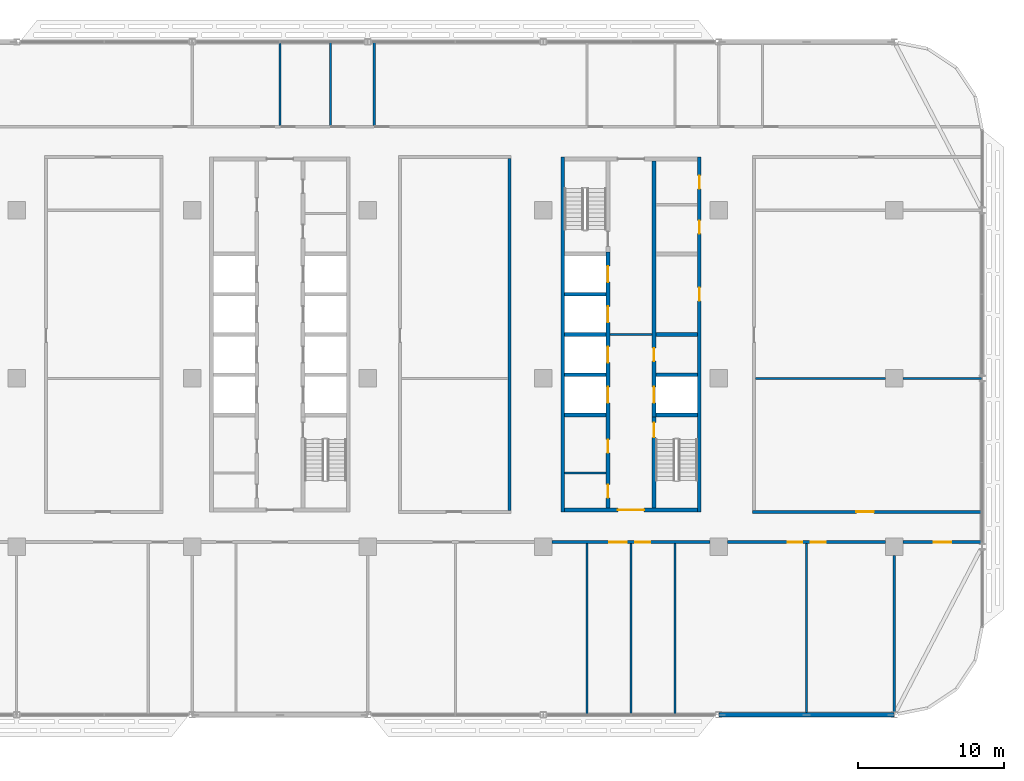
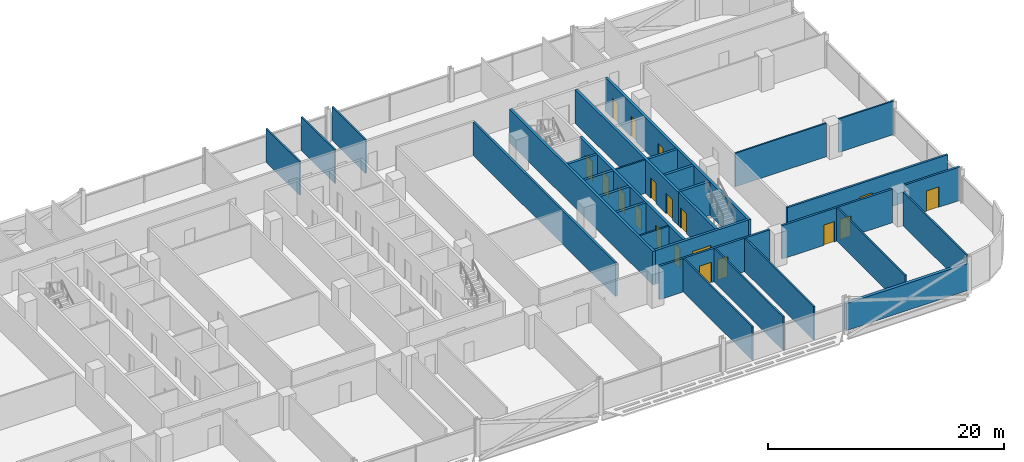
# One storey, part 15 of 27: 31 walls, 19 doors, 19 openings.
"""IFC4 building model written with IfcOpenShell, lengths in metres."""

from ifc_helpers import new_model, si_unit, direction, frame, frame_2d, origin, place, context, subcontext, project, spatial, rectangle, extrude, material, layer, layer_set, type_object, element, fill, save


model = new_model("IFC4")

# Units and contexts
model_context = context("Model", 3, precision=1e-05, world=origin(), true_north=direction((0.0, 1.0)))
body_context = subcontext(model_context, "Body", "Model", "MODEL_VIEW")
ifc_project = project(units=[si_unit("LENGTHUNIT", "METRE"), si_unit("AREAUNIT", "SQUARE_METRE"), si_unit("VOLUMEUNIT", "CUBIC_METRE"), si_unit("PLANEANGLEUNIT", "RADIAN"), si_unit("MASSUNIT", "GRAM", prefix="KILO")], contexts=[model_context])

# Site, building, storey
site_placement = place(None, origin())
site = spatial("IfcSite", under=ifc_project, at=site_placement, CompositionType="ELEMENT")
building_placement = place(site_placement, origin())
building = spatial("IfcBuilding", under=site, at=building_placement, Name="Mahtab Terrace Research Tower", CompositionType="ELEMENT")
storey_placement = place(building_placement, frame((0.0, 0.0, 178.199951171875)))
storey = spatial("IfcBuildingStorey", under=building, at=storey_placement, Name="L42", CompositionType="ELEMENT", Elevation=178.199951171875)

# Walls
ifc_material_1 = material(Name="Gypsum board partition")
ifc_layer_1 = layer(ifc_material_1, 0.14990234375)
ifc_layer_set_1 = layer_set([ifc_layer_1], Name="Core partition 150")
wall_type_1 = type_object("IfcWallType", Name="Core partition 150", PredefinedType="PARTITIONING", material=ifc_layer_set_1)
wall_1_placement = place(storey_placement, frame((22.550048828125, 3.0, 0.0), z_axis=(0.0, 0.0, 1.0), x_axis=(1.0, 0.0, 0.0)))
element("IfcWall", 1, at=wall_1_placement, inside=storey, type_object=wall_type_1, Name="Core wall C ffl", PredefinedType="PARTITIONING", context=body_context, shape_type="SweptSolid", body=[
    extrude(rectangle(XDim=2.89990234375, YDim=0.14990234375, at=frame_2d((1.449951171875, 0.0))), origin(), (0.0, 0.0, 1.0), 3.4599609375),
])
wall_2_placement = place(storey_placement, frame((19.449951171875, -6.47509765625, 0.0), z_axis=(0.0, 0.0, 1.0), x_axis=(1.0, 0.0, 0.0)))
element("IfcWall", 2, at=wall_2_placement, inside=storey, type_object=wall_type_1, Name="Core wall C pWS-948", PredefinedType="PARTITIONING", context=body_context, shape_type="SweptSolid", body=[
    extrude(rectangle(XDim=2.85009765625, YDim=0.14990234375, at=frame_2d((1.425048828125, 0.0))), origin(), (0.0, 0.0, 1.0), 3.4599609375),
])
ifc_material_2 = material(Name="Concrete C70/85", Category="concrete")
ifc_layer_2 = layer(ifc_material_2, 0.25)
ifc_layer_set_2 = layer_set([ifc_layer_2], Name="Core wall 250")
wall_type_2 = type_object("IfcWallType", Name="Core wall 250", PredefinedType="SOLIDWALL", material=ifc_layer_set_2)
wall_3_placement = place(storey_placement, frame((19.324951171875, 15.125, 0.0), z_axis=(0.0, 0.0, 1.0), x_axis=(0.0, -1.0, 0.0)))
element("IfcWall", 3, at=wall_3_placement, inside=storey, type_object=wall_type_2, Name="Core wall C outerW", PredefinedType="SOLIDWALL", context=body_context, shape_type="SweptSolid", body=[
    extrude(rectangle(XDim=24.25, YDim=0.25, at=frame_2d((12.125, 0.0))), origin(), (0.0, 0.0, 1.0), 3.4599609375),
])

# Wall, openings, doors
wall_4_placement = place(storey_placement, frame((28.675048828125, -9.125, 0.0), z_axis=(0.0, 0.0, 1.0), x_axis=(0.0, 1.0, 0.0)))
wall_4 = element("IfcWall", 4, at=wall_4_placement, inside=storey, type_object=wall_type_2, Name="Core wall C outerE", PredefinedType="SOLIDWALL", context=body_context, shape_type="SweptSolid", body=[
    extrude(rectangle(XDim=24.25, YDim=0.25, at=frame_2d((12.125, 0.0))), origin(), (0.0, 0.0, 1.0), 3.4599609375),
])
opening_1_placement = place(wall_4_placement, frame((14.425048828125, 0.0, 0.0)))
opening_1 = element("IfcOpeningElement", 5, at=opening_1_placement, cuts=wall_4, Name="Opening C-R2", PredefinedType="OPENING", context=body_context, shape_type="SweptSolid", body=[
    extrude(rectangle(XDim=0.89990234375, YDim=2.10009765625, at=frame_2d((0.449951171875, 1.050048828125))), frame((0.0, 0.135009765625, 0.0), z_axis=(0.0, -1.0, 0.0), x_axis=(1.0, 0.0, 0.0)), (0.0, 0.0, 1.0), 0.27001953125),
])
opening_2_placement = place(wall_4_placement, frame((19.012451171875, 0.0, 0.0)))
opening_2 = element("IfcOpeningElement", 6, at=opening_2_placement, cuts=wall_4, Name="Opening C-R5", PredefinedType="OPENING", context=body_context, shape_type="SweptSolid", body=[
    extrude(rectangle(XDim=0.89990234375, YDim=2.10009765625, at=frame_2d((0.449951171875, 1.050048828125))), frame((0.0, 0.135009765625, 0.0), z_axis=(0.0, -1.0, 0.0), x_axis=(1.0, 0.0, 0.0)), (0.0, 0.0, 1.0), 0.27001953125),
])
opening_3_placement = place(wall_4_placement, frame((22.08740234375, 0.0, 0.0)))
opening_3 = element("IfcOpeningElement", 7, at=opening_3_placement, cuts=wall_4, Name="Opening C-R6", PredefinedType="OPENING", context=body_context, shape_type="SweptSolid", body=[
    extrude(rectangle(XDim=0.89990234375, YDim=2.10009765625, at=frame_2d((0.449951171875, 1.050048828125))), frame((0.0, 0.135009765625, 0.0), z_axis=(0.0, -1.0, 0.0), x_axis=(1.0, 0.0, 0.0)), (0.0, 0.0, 1.0), 0.27001953125),
])
ifc_material_3 = material(Name="Steel fire door", Category="steel")
door_type_1 = type_object("IfcDoorType", Name="Room door 900x2100 1 HR", OperationType="NOTDEFINED", PredefinedType="DOOR", material=ifc_material_3)
door_1_placement = place(opening_1_placement, origin())
door_1 = element("IfcDoor", 8, at=door_1_placement, inside=storey, type_object=door_type_1, Name="Plant room door", OperationType="SINGLE_SWING_RIGHT", OverallHeight=2.10009765625, OverallWidth=0.89990234375, PredefinedType="DOOR", context=body_context, shape_type="SweptSolid", body=[
    extrude(rectangle(XDim=0.89990234375, YDim=2.10009765625, at=frame_2d((0.449951171875, 1.050048828125))), frame((0.0, 0.02490234375, 0.0), z_axis=(0.0, -1.0, 0.0), x_axis=(1.0, 0.0, 0.0)), (0.0, 0.0, 1.0), 0.050048828125),
])
fill(opening_1, door_1)
door_2_placement = place(opening_2_placement, origin())
door_2 = element("IfcDoor", 9, at=door_2_placement, inside=storey, type_object=door_type_1, Name="Housekeeping store door", OperationType="SINGLE_SWING_LEFT", OverallHeight=2.10009765625, OverallWidth=0.89990234375, PredefinedType="DOOR", context=body_context, shape_type="SweptSolid", body=[
    extrude(rectangle(XDim=0.89990234375, YDim=2.10009765625, at=frame_2d((0.449951171875, 1.050048828125))), frame((0.0, 0.02490234375, 0.0), z_axis=(0.0, -1.0, 0.0), x_axis=(1.0, 0.0, 0.0)), (0.0, 0.0, 1.0), 0.050048828125),
])
fill(opening_2, door_2)
door_3_placement = place(opening_3_placement, origin())
door_3 = element("IfcDoor", 10, at=door_3_placement, inside=storey, type_object=door_type_1, Name="Electrical riser room door", OperationType="SINGLE_SWING_RIGHT", OverallHeight=2.10009765625, OverallWidth=0.89990234375, PredefinedType="DOOR", context=body_context, shape_type="SweptSolid", body=[
    extrude(rectangle(XDim=0.89990234375, YDim=2.10009765625, at=frame_2d((0.449951171875, 1.050048828125))), frame((0.0, 0.02490234375, 0.0), z_axis=(0.0, -1.0, 0.0), x_axis=(1.0, 0.0, 0.0)), (0.0, 0.0, 1.0), 0.050048828125),
])
fill(opening_3, door_3)

# Wall, opening, door
wall_5_placement = place(storey_placement, frame((28.550048828125, -9.0, 0.0), z_axis=(0.0, 0.0, 1.0), x_axis=(-1.0, 0.0, 0.0)))
wall_5 = element("IfcWall", 11, at=wall_5_placement, inside=storey, type_object=wall_type_2, Name="Core wall C endS", PredefinedType="SOLIDWALL", context=body_context, shape_type="SweptSolid", body=[
    extrude(rectangle(XDim=9.10009765625, YDim=0.25, at=frame_2d((4.550048828125, 0.0))), origin(), (0.0, 0.0, 1.0), 3.4599609375),
])
opening_4_placement = place(wall_5_placement, frame((3.64990234375, 0.0, 0.0)))
opening_4 = element("IfcOpeningElement", 12, at=opening_4_placement, cuts=wall_5, Name="Opening C-S1", PredefinedType="OPENING", context=body_context, shape_type="SweptSolid", body=[
    extrude(rectangle(XDim=1.800048828125, YDim=2.10009765625, at=frame_2d((0.89990234375, 1.050048828125))), frame((0.0, 0.135009765625, 0.0), z_axis=(0.0, -1.0, 0.0), x_axis=(1.0, 0.0, 0.0)), (0.0, 0.0, 1.0), 0.27001953125),
])
door_type_2 = type_object("IfcDoorType", Name="Lobby double door 1800x2100 1 HR", OperationType="DOUBLE_DOOR_SINGLE_SWING", PredefinedType="DOOR", material=ifc_material_3)
door_4_placement = place(opening_4_placement, origin())
door_4 = element("IfcDoor", 13, at=door_4_placement, inside=storey, type_object=door_type_2, Name="Core entrance door C S", OperationType="DOUBLE_DOOR_SINGLE_SWING", OverallHeight=2.10009765625, OverallWidth=1.800048828125, PredefinedType="DOOR", context=body_context, shape_type="SweptSolid", body=[
    extrude(rectangle(XDim=1.800048828125, YDim=2.10009765625, at=frame_2d((0.89990234375, 1.050048828125))), frame((0.0, 0.02490234375, 0.0), z_axis=(0.0, -1.0, 0.0), x_axis=(1.0, 0.0, 0.0)), (0.0, 0.0, 1.0), 0.050048828125),
])
fill(opening_4, door_4)

# Wall, openings, doors
wall_6_placement = place(storey_placement, frame((22.425048828125, -8.875, 0.0), z_axis=(0.0, 0.0, 1.0), x_axis=(0.0, 1.0, 0.0)))
wall_6 = element("IfcWall", 14, at=wall_6_placement, inside=storey, type_object=wall_type_2, Name="Core wall C innerWSL", PredefinedType="SOLIDWALL", context=body_context, shape_type="SweptSolid", body=[
    extrude(rectangle(XDim=17.5, YDim=0.25, at=frame_2d((8.75, 0.0))), origin(), (0.0, 0.0, 1.0), 3.4599609375),
])
opening_5_placement = place(wall_6_placement, frame((7.199951171875, 0.0, 0.0)))
opening_5 = element("IfcOpeningElement", 15, at=opening_5_placement, cuts=wall_6, Name="Opening LD17-L42", PredefinedType="OPENING", context=body_context, shape_type="SweptSolid", body=[
    extrude(rectangle(XDim=1.10009765625, YDim=2.10009765625, at=frame_2d((0.550048828125, 1.050048828125))), frame((0.0, 0.135009765625, 0.0), z_axis=(0.0, -1.0, 0.0), x_axis=(1.0, 0.0, 0.0)), (0.0, 0.0, 1.0), 0.27001953125),
])
opening_6_placement = place(wall_6_placement, frame((9.949951171875, 0.0, 0.0)))
opening_6 = element("IfcOpeningElement", 16, at=opening_6_placement, cuts=wall_6, Name="Opening LD18-L42", PredefinedType="OPENING", context=body_context, shape_type="SweptSolid", body=[
    extrude(rectangle(XDim=1.10009765625, YDim=2.10009765625, at=frame_2d((0.550048828125, 1.050048828125))), frame((0.0, 0.135009765625, 0.0), z_axis=(0.0, -1.0, 0.0), x_axis=(1.0, 0.0, 0.0)), (0.0, 0.0, 1.0), 0.27001953125),
])
opening_7_placement = place(wall_6_placement, frame((12.699951171875, 0.0, 0.0)))
opening_7 = element("IfcOpeningElement", 17, at=opening_7_placement, cuts=wall_6, Name="Opening LD19-L42", PredefinedType="OPENING", context=body_context, shape_type="SweptSolid", body=[
    extrude(rectangle(XDim=1.10009765625, YDim=2.10009765625, at=frame_2d((0.550048828125, 1.050048828125))), frame((0.0, 0.135009765625, 0.0), z_axis=(0.0, -1.0, 0.0), x_axis=(1.0, 0.0, 0.0)), (0.0, 0.0, 1.0), 0.27001953125),
])
opening_8_placement = place(wall_6_placement, frame((15.449951171875, 0.0, 0.0)))
opening_8 = element("IfcOpeningElement", 18, at=opening_8_placement, cuts=wall_6, Name="Opening LD20-L42", PredefinedType="OPENING", context=body_context, shape_type="SweptSolid", body=[
    extrude(rectangle(XDim=1.10009765625, YDim=2.10009765625, at=frame_2d((0.550048828125, 1.050048828125))), frame((0.0, 0.135009765625, 0.0), z_axis=(0.0, -1.0, 0.0), x_axis=(1.0, 0.0, 0.0)), (0.0, 0.0, 1.0), 0.27001953125),
])
opening_9_placement = place(wall_6_placement, frame((0.71240234375, 0.0, 0.0)))
opening_9 = element("IfcOpeningElement", 19, at=opening_9_placement, cuts=wall_6, Name="Opening C-R3", PredefinedType="OPENING", context=body_context, shape_type="SweptSolid", body=[
    extrude(rectangle(XDim=0.89990234375, YDim=2.10009765625, at=frame_2d((0.449951171875, 1.050048828125))), frame((0.0, 0.135009765625, 0.0), z_axis=(0.0, -1.0, 0.0), x_axis=(1.0, 0.0, 0.0)), (0.0, 0.0, 1.0), 0.27001953125),
])
opening_10_placement = place(wall_6_placement, frame((3.78759765625, 0.0, 0.0)))
opening_10 = element("IfcOpeningElement", 20, at=opening_10_placement, cuts=wall_6, Name="Opening C-R4", PredefinedType="OPENING", context=body_context, shape_type="SweptSolid", body=[
    extrude(rectangle(XDim=0.89990234375, YDim=2.10009765625, at=frame_2d((0.449951171875, 1.050048828125))), frame((0.0, 0.135009765625, 0.0), z_axis=(0.0, -1.0, 0.0), x_axis=(1.0, 0.0, 0.0)), (0.0, 0.0, 1.0), 0.27001953125),
])
ifc_material_4 = material(Name="Stainless steel AISI 304", Category="steel")
door_type_3 = type_object("IfcDoorType", Name="Landing door 1100x2100", OperationType="DOUBLE_DOOR_SLIDING", PredefinedType="DOOR", material=ifc_material_4)
door_5_placement = place(opening_5_placement, origin())
door_5 = element("IfcDoor", 21, at=door_5_placement, inside=storey, type_object=door_type_3, Name="Landing door SV1 L42", OperationType="DOUBLE_DOOR_SLIDING", OverallHeight=2.10009765625, OverallWidth=1.10009765625, PredefinedType="DOOR", context=body_context, shape_type="SweptSolid", body=[
    extrude(rectangle(XDim=1.10009765625, YDim=2.10009765625, at=frame_2d((0.550048828125, 1.050048828125))), frame((0.0, 0.02490234375, 0.0), z_axis=(0.0, -1.0, 0.0), x_axis=(1.0, 0.0, 0.0)), (0.0, 0.0, 1.0), 0.050048828125),
])
fill(opening_5, door_5)
door_6_placement = place(opening_6_placement, origin())
door_6 = element("IfcDoor", 22, at=door_6_placement, inside=storey, type_object=door_type_3, Name="Landing door SV2 L42", OperationType="DOUBLE_DOOR_SLIDING", OverallHeight=2.10009765625, OverallWidth=1.10009765625, PredefinedType="DOOR", context=body_context, shape_type="SweptSolid", body=[
    extrude(rectangle(XDim=1.10009765625, YDim=2.10009765625, at=frame_2d((0.550048828125, 1.050048828125))), frame((0.0, 0.02490234375, 0.0), z_axis=(0.0, -1.0, 0.0), x_axis=(1.0, 0.0, 0.0)), (0.0, 0.0, 1.0), 0.050048828125),
])
fill(opening_6, door_6)
door_7_placement = place(opening_7_placement, origin())
door_7 = element("IfcDoor", 23, at=door_7_placement, inside=storey, type_object=door_type_3, Name="Landing door FF1 L42", OperationType="DOUBLE_DOOR_SLIDING", OverallHeight=2.10009765625, OverallWidth=1.10009765625, PredefinedType="DOOR", context=body_context, shape_type="SweptSolid", body=[
    extrude(rectangle(XDim=1.10009765625, YDim=2.10009765625, at=frame_2d((0.550048828125, 1.050048828125))), frame((0.0, 0.02490234375, 0.0), z_axis=(0.0, -1.0, 0.0), x_axis=(1.0, 0.0, 0.0)), (0.0, 0.0, 1.0), 0.050048828125),
])
fill(opening_7, door_7)
door_8_placement = place(opening_8_placement, origin())
door_8 = element("IfcDoor", 24, at=door_8_placement, inside=storey, type_object=door_type_3, Name="Landing door FF2 L42", OperationType="DOUBLE_DOOR_SLIDING", OverallHeight=2.10009765625, OverallWidth=1.10009765625, PredefinedType="DOOR", context=body_context, shape_type="SweptSolid", body=[
    extrude(rectangle(XDim=1.10009765625, YDim=2.10009765625, at=frame_2d((0.550048828125, 1.050048828125))), frame((0.0, 0.02490234375, 0.0), z_axis=(0.0, -1.0, 0.0), x_axis=(1.0, 0.0, 0.0)), (0.0, 0.0, 1.0), 0.050048828125),
])
fill(opening_8, door_8)
door_9_placement = place(opening_9_placement, origin())
door_9 = element("IfcDoor", 25, at=door_9_placement, inside=storey, type_object=door_type_1, Name="Accessible WC door", OperationType="SINGLE_SWING_LEFT", OverallHeight=2.10009765625, OverallWidth=0.89990234375, PredefinedType="DOOR", context=body_context, shape_type="SweptSolid", body=[
    extrude(rectangle(XDim=0.89990234375, YDim=2.10009765625, at=frame_2d((0.449951171875, 1.050048828125))), frame((0.0, 0.02490234375, 0.0), z_axis=(0.0, -1.0, 0.0), x_axis=(1.0, 0.0, 0.0)), (0.0, 0.0, 1.0), 0.050048828125),
])
fill(opening_9, door_9)
door_10_placement = place(opening_10_placement, origin())
door_10 = element("IfcDoor", 26, at=door_10_placement, inside=storey, type_object=door_type_1, Name="WC block door", OperationType="SINGLE_SWING_RIGHT", OverallHeight=2.10009765625, OverallWidth=0.89990234375, PredefinedType="DOOR", context=body_context, shape_type="SweptSolid", body=[
    extrude(rectangle(XDim=0.89990234375, YDim=2.10009765625, at=frame_2d((0.449951171875, 1.050048828125))), frame((0.0, 0.02490234375, 0.0), z_axis=(0.0, -1.0, 0.0), x_axis=(1.0, 0.0, 0.0)), (0.0, 0.0, 1.0), 0.050048828125),
])
fill(opening_10, door_10)

# Wall, opening, door
wall_7_placement = place(storey_placement, frame((25.574951171875, -8.875, 0.0), z_axis=(0.0, 0.0, 1.0), x_axis=(0.0, 1.0, 0.0)))
wall_7 = element("IfcWall", 27, at=wall_7_placement, inside=storey, type_object=wall_type_2, Name="Core wall C innerES", PredefinedType="SOLIDWALL", context=body_context, shape_type="SweptSolid", body=[
    extrude(rectangle(XDim=6.25, YDim=0.25, at=frame_2d((3.125, 0.0))), origin(), (0.0, 0.0, 1.0), 3.4599609375),
])
opening_11_placement = place(wall_7_placement, frame((4.85009765625, 0.0, 0.0)))
opening_11 = element("IfcOpeningElement", 28, at=opening_11_placement, cuts=wall_7, Name="Opening C-ST4", PredefinedType="OPENING", context=body_context, shape_type="SweptSolid", body=[
    extrude(rectangle(XDim=1.0, YDim=2.10009765625, at=frame_2d((0.5, 1.050048828125))), frame((0.0, 0.135009765625, 0.0), z_axis=(0.0, -1.0, 0.0), x_axis=(1.0, 0.0, 0.0)), (0.0, 0.0, 1.0), 0.27001953125),
])
door_type_4 = type_object("IfcDoorType", Name="Stair door 1000x2100 1.5 HR", OperationType="NOTDEFINED", PredefinedType="DOOR", material=ifc_material_3)
door_11_placement = place(opening_11_placement, origin())
door_11 = element("IfcDoor", 29, at=door_11_placement, inside=storey, type_object=door_type_4, Name="Stair door ST4 L42", OperationType="SINGLE_SWING_RIGHT", OverallHeight=2.10009765625, OverallWidth=1.0, PredefinedType="DOOR", context=body_context, shape_type="SweptSolid", body=[
    extrude(rectangle(XDim=1.0, YDim=2.10009765625, at=frame_2d((0.5, 1.050048828125))), frame((0.0, 0.02490234375, 0.0), z_axis=(0.0, -1.0, 0.0), x_axis=(1.0, 0.0, 0.0)), (0.0, 0.0, 1.0), 0.050048828125),
])
fill(opening_11, door_11)

# Wall, openings, doors
wall_8_placement = place(storey_placement, frame((25.574951171875, 14.875, 0.0), z_axis=(0.0, 0.0, 1.0), x_axis=(0.0, -1.0, 0.0)))
wall_8 = element("IfcWall", 30, at=wall_8_placement, inside=storey, type_object=wall_type_2, Name="Core wall C innerELN", PredefinedType="SOLIDWALL", context=body_context, shape_type="SweptSolid", body=[
    extrude(rectangle(XDim=17.5, YDim=0.25, at=frame_2d((8.75, 0.0))), origin(), (0.0, 0.0, 1.0), 3.4599609375),
])
opening_12_placement = place(wall_8_placement, frame((15.449951171875, 0.0, 0.0)))
opening_12 = element("IfcOpeningElement", 31, at=opening_12_placement, cuts=wall_8, Name="Opening LD21-L42", PredefinedType="OPENING", context=body_context, shape_type="SweptSolid", body=[
    extrude(rectangle(XDim=1.10009765625, YDim=2.10009765625, at=frame_2d((0.550048828125, 1.050048828125))), frame((0.0, 0.135009765625, 0.0), z_axis=(0.0, -1.0, 0.0), x_axis=(1.0, 0.0, 0.0)), (0.0, 0.0, 1.0), 0.27001953125),
])
opening_13_placement = place(wall_8_placement, frame((12.800048828125, 0.0, 0.0)))
opening_13 = element("IfcOpeningElement", 32, at=opening_13_placement, cuts=wall_8, Name="Opening C-R1", PredefinedType="OPENING", context=body_context, shape_type="SweptSolid", body=[
    extrude(rectangle(XDim=0.89990234375, YDim=2.10009765625, at=frame_2d((0.449951171875, 1.050048828125))), frame((0.0, 0.135009765625, 0.0), z_axis=(0.0, -1.0, 0.0), x_axis=(1.0, 0.0, 0.0)), (0.0, 0.0, 1.0), 0.27001953125),
])
door_12_placement = place(opening_12_placement, origin())
door_12 = element("IfcDoor", 33, at=door_12_placement, inside=storey, type_object=door_type_3, Name="Landing door SV3 L42", OperationType="DOUBLE_DOOR_SLIDING", OverallHeight=2.10009765625, OverallWidth=1.10009765625, PredefinedType="DOOR", context=body_context, shape_type="SweptSolid", body=[
    extrude(rectangle(XDim=1.10009765625, YDim=2.10009765625, at=frame_2d((0.550048828125, 1.050048828125))), frame((0.0, 0.02490234375, 0.0), z_axis=(0.0, -1.0, 0.0), x_axis=(1.0, 0.0, 0.0)), (0.0, 0.0, 1.0), 0.050048828125),
])
fill(opening_12, door_12)
door_13_placement = place(opening_13_placement, origin())
door_13 = element("IfcDoor", 34, at=door_13_placement, inside=storey, type_object=door_type_1, Name="Plant room door", OperationType="SINGLE_SWING_LEFT", OverallHeight=2.10009765625, OverallWidth=0.89990234375, PredefinedType="DOOR", context=body_context, shape_type="SweptSolid", body=[
    extrude(rectangle(XDim=0.89990234375, YDim=2.10009765625, at=frame_2d((0.449951171875, 1.050048828125))), frame((0.0, 0.02490234375, 0.0), z_axis=(0.0, -1.0, 0.0), x_axis=(1.0, 0.0, 0.0)), (0.0, 0.0, 1.0), 0.050048828125),
])
fill(opening_13, door_13)

# Walls
for number, where, z_axis, x_axis, name in (
    (35, (19.449951171875, -2.5, 0.0), (0.0, 0.0, 1.0), (1.0, 0.0, 0.0), "Core wall C divW0"),
    (36, (19.449951171875, 0.25, 0.0), (0.0, 0.0, 1.0), (1.0, 0.0, 0.0), "Core wall C divW1"),
    (37, (19.449951171875, 3.0, 0.0), (0.0, 0.0, 1.0), (1.0, 0.0, 0.0), "Core wall C divW2"),
    (38, (19.449951171875, 5.75, 0.0), (0.0, 0.0, 1.0), (1.0, 0.0, 0.0), "Core wall C divW3"),
    (39, (25.699951171875, -2.5, 0.0), (0.0, 0.0, 1.0), (1.0, 0.0, 0.0), "Core wall C divE0"),
    (40, (25.699951171875, 0.25, 0.0), (0.0, 0.0, 1.0), (1.0, 0.0, 0.0), "Core wall C divE1"),
    (41, (25.699951171875, 3.0, 0.0), (0.0, 0.0, 1.0), (1.0, 0.0, 0.0), "Core wall C divE2"),
):
    element("IfcWall", number, at=place(storey_placement, frame(where, z_axis=z_axis, x_axis=x_axis)), inside=storey, type_object=wall_type_2, Name=name, PredefinedType="SOLIDWALL", context=body_context, shape_type="SweptSolid", body=[
        extrude(rectangle(XDim=2.85009765625, YDim=0.25, at=frame_2d((1.425048828125, 0.0))), origin(), (0.0, 0.0, 1.0), 3.4599609375),
    ])
ifc_material_5 = material(Name="Black aluminium cladding panel", Category="aluminium")
ifc_layer_3 = layer(ifc_material_5, 0.300048828125)
ifc_layer_set_3 = layer_set([ifc_layer_3], Name="Opaque facade wall 300")
wall_type_3 = type_object("IfcWallType", Name="Opaque facade wall 300", PredefinedType="NOTDEFINED", material=ifc_layer_set_3)
wall_9_placement = place(storey_placement, frame((30.014892578125, -23.0, 0.0), z_axis=(0.0, 0.0, 1.0), x_axis=(1.0, 0.0, 0.0)))
element("IfcWall", 42, at=wall_9_placement, inside=storey, type_object=wall_type_3, Name="Opaque facade wall L42 S29", PredefinedType="NOTDEFINED", context=body_context, shape_type="SweptSolid", body=[
    extrude(rectangle(XDim=11.97021484375, YDim=0.300048828125, at=frame_2d((5.985107421875, 0.0))), origin(), (0.0, 0.0, 1.0), 2.78173828125),
])

# Wall, openings, doors
ifc_material_6 = material(Name="Gypsum board corridor wall on steel studs", Category="steel")
ifc_layer_4 = layer(ifc_material_6, 0.199951171875)
ifc_layer_set_4 = layer_set([ifc_layer_4], Name="WALL CORRIDOR 200")
wall_type_4 = type_object("IfcWallType", Name="WALL CORRIDOR 200", PredefinedType="PARTITIONING", material=ifc_layer_set_4)
wall_10_placement = place(storey_placement, frame((18.60009765625, -11.199951171875, 0.0), z_axis=(0.0, 0.0, 1.0), x_axis=(1.0, 0.0, 0.0)))
wall_10 = element("IfcWall", 43, at=wall_10_placement, inside=storey, type_object=wall_type_4, Name="L42-W007", PredefinedType="PARTITIONING", context=body_context, shape_type="SweptSolid", body=[
    extrude(rectangle(XDim=10.7998046875, YDim=0.199951171875, at=frame_2d((5.39990234375, 0.0))), origin(), (0.0, 0.0, 1.0), 3.4599609375),
])
opening_14_placement = place(wall_10_placement, frame((3.89990234375, 0.0, 0.0)))
opening_14 = element("IfcOpeningElement", 44, at=opening_14_placement, cuts=wall_10, Name="Opening L42-112", PredefinedType="OPENING", context=body_context, shape_type="SweptSolid", body=[
    extrude(rectangle(XDim=1.199951171875, YDim=2.10009765625, at=frame_2d((0.60009765625, 1.050048828125))), frame((0.0, 0.10986328125, 0.0), z_axis=(0.0, -1.0, 0.0), x_axis=(1.0, 0.0, 0.0)), (0.0, 0.0, 1.0), 0.219970703125),
])
opening_15_placement = place(wall_10_placement, frame((5.699951171875, 0.0, 0.0)))
opening_15 = element("IfcOpeningElement", 45, at=opening_15_placement, cuts=wall_10, Name="Opening L42-113", PredefinedType="OPENING", context=body_context, shape_type="SweptSolid", body=[
    extrude(rectangle(XDim=1.0, YDim=2.10009765625, at=frame_2d((0.5, 1.050048828125))), frame((0.0, 0.10986328125, 0.0), z_axis=(0.0, -1.0, 0.0), x_axis=(1.0, 0.0, 0.0)), (0.0, 0.0, 1.0), 0.219970703125),
])
ifc_material_7 = material(Name="Timber door leaf in steel frame", Category="steel")
door_type_5 = type_object("IfcDoorType", Name="DOOR 1000X2100 FD30S", OperationType="SINGLE_SWING_LEFT", PredefinedType="DOOR", material=ifc_material_7)
door_14_placement = place(opening_15_placement, origin())
door_14 = element("IfcDoor", 46, at=door_14_placement, inside=storey, type_object=door_type_5, Name="Door L42-113", OperationType="SINGLE_SWING_LEFT", OverallHeight=2.10009765625, OverallWidth=1.0, PredefinedType="DOOR", context=body_context, shape_type="SweptSolid", body=[
    extrude(rectangle(XDim=1.0, YDim=2.10009765625, at=frame_2d((0.5, 1.050048828125))), frame((0.0, 0.02490234375, 0.0), z_axis=(0.0, -1.0, 0.0), x_axis=(1.0, 0.0, 0.0)), (0.0, 0.0, 1.0), 0.050048828125),
])
fill(opening_15, door_14)
door_type_6 = type_object("IfcDoorType", Name="DOOR 1200X2100 FD30S", OperationType="SINGLE_SWING_LEFT", PredefinedType="DOOR", material=ifc_material_7)
door_15_placement = place(opening_14_placement, origin())
door_15 = element("IfcDoor", 47, at=door_15_placement, inside=storey, type_object=door_type_6, Name="Door L42-112", OperationType="SINGLE_SWING_RIGHT", OverallHeight=2.10009765625, OverallWidth=1.199951171875, PredefinedType="DOOR", context=body_context, shape_type="SweptSolid", body=[
    extrude(rectangle(XDim=1.199951171875, YDim=2.10009765625, at=frame_2d((0.60009765625, 1.050048828125))), frame((0.0, 0.02490234375, 0.0), z_axis=(0.0, -1.0, 0.0), x_axis=(1.0, 0.0, 0.0)), (0.0, 0.0, 1.0), 0.050048828125),
])
fill(opening_14, door_15)

wall_11_placement = place(storey_placement, frame((30.60009765625, -11.199951171875, 0.0), z_axis=(0.0, 0.0, 1.0), x_axis=(1.0, 0.0, 0.0)))
wall_11 = element("IfcWall", 48, at=wall_11_placement, inside=storey, type_object=wall_type_4, Name="L42-W008", PredefinedType="PARTITIONING", context=body_context, shape_type="SweptSolid", body=[
    extrude(rectangle(XDim=10.7998046875, YDim=0.199951171875, at=frame_2d((5.39990234375, 0.0))), origin(), (0.0, 0.0, 1.0), 3.4599609375),
])
opening_16_placement = place(wall_11_placement, frame((4.10009765625, 0.0, 0.0)))
opening_16 = element("IfcOpeningElement", 49, at=opening_16_placement, cuts=wall_11, Name="Opening L42-114", PredefinedType="OPENING", context=body_context, shape_type="SweptSolid", body=[
    extrude(rectangle(XDim=1.0, YDim=2.10009765625, at=frame_2d((0.5, 1.050048828125))), frame((0.0, 0.10986328125, 0.0), z_axis=(0.0, -1.0, 0.0), x_axis=(1.0, 0.0, 0.0)), (0.0, 0.0, 1.0), 0.219970703125),
])
opening_17_placement = place(wall_11_placement, frame((5.699951171875, 0.0, 0.0)))
opening_17 = element("IfcOpeningElement", 50, at=opening_17_placement, cuts=wall_11, Name="Opening L42-115", PredefinedType="OPENING", context=body_context, shape_type="SweptSolid", body=[
    extrude(rectangle(XDim=1.0, YDim=2.10009765625, at=frame_2d((0.5, 1.050048828125))), frame((0.0, 0.10986328125, 0.0), z_axis=(0.0, -1.0, 0.0), x_axis=(1.0, 0.0, 0.0)), (0.0, 0.0, 1.0), 0.219970703125),
])
door_16_placement = place(opening_16_placement, origin())
door_16 = element("IfcDoor", 51, at=door_16_placement, inside=storey, type_object=door_type_5, Name="Door L42-114", OperationType="SINGLE_SWING_RIGHT", OverallHeight=2.10009765625, OverallWidth=1.0, PredefinedType="DOOR", context=body_context, shape_type="SweptSolid", body=[
    extrude(rectangle(XDim=1.0, YDim=2.10009765625, at=frame_2d((0.5, 1.050048828125))), frame((0.0, 0.02490234375, 0.0), z_axis=(0.0, -1.0, 0.0), x_axis=(1.0, 0.0, 0.0)), (0.0, 0.0, 1.0), 0.050048828125),
])
fill(opening_16, door_16)
door_17_placement = place(opening_17_placement, origin())
door_17 = element("IfcDoor", 52, at=door_17_placement, inside=storey, type_object=door_type_5, Name="Door L42-115", OperationType="SINGLE_SWING_LEFT", OverallHeight=2.10009765625, OverallWidth=1.0, PredefinedType="DOOR", context=body_context, shape_type="SweptSolid", body=[
    extrude(rectangle(XDim=1.0, YDim=2.10009765625, at=frame_2d((0.5, 1.050048828125))), frame((0.0, 0.02490234375, 0.0), z_axis=(0.0, -1.0, 0.0), x_axis=(1.0, 0.0, 0.0)), (0.0, 0.0, 1.0), 0.050048828125),
])
fill(opening_17, door_17)

# Wall, opening, door
wall_12_placement = place(storey_placement, frame((42.60009765625, -11.199951171875, 0.0), z_axis=(0.0, 0.0, 1.0), x_axis=(1.0, 0.0, 0.0)))
wall_12 = element("IfcWall", 53, at=wall_12_placement, inside=storey, type_object=wall_type_4, Name="L42-W009", PredefinedType="PARTITIONING", context=body_context, shape_type="SweptSolid", body=[
    extrude(rectangle(XDim=5.375, YDim=0.199951171875, at=frame_2d((2.6875, 0.0))), origin(), (0.0, 0.0, 1.0), 3.4599609375),
])
opening_18_placement = place(wall_12_placement, frame((2.10009765625, 0.0, 0.0)))
opening_18 = element("IfcOpeningElement", 54, at=opening_18_placement, cuts=wall_12, Name="Opening L42-116", PredefinedType="OPENING", context=body_context, shape_type="SweptSolid", body=[
    extrude(rectangle(XDim=1.199951171875, YDim=2.10009765625, at=frame_2d((0.60009765625, 1.050048828125))), frame((0.0, 0.10986328125, 0.0), z_axis=(0.0, -1.0, 0.0), x_axis=(1.0, 0.0, 0.0)), (0.0, 0.0, 1.0), 0.219970703125),
])
door_18_placement = place(opening_18_placement, origin())
door_18 = element("IfcDoor", 55, at=door_18_placement, inside=storey, type_object=door_type_6, Name="Door L42-116", OperationType="SINGLE_SWING_LEFT", OverallHeight=2.10009765625, OverallWidth=1.199951171875, PredefinedType="DOOR", context=body_context, shape_type="SweptSolid", body=[
    extrude(rectangle(XDim=1.199951171875, YDim=2.10009765625, at=frame_2d((0.60009765625, 1.050048828125))), frame((0.0, 0.02490234375, 0.0), z_axis=(0.0, -1.0, 0.0), x_axis=(1.0, 0.0, 0.0)), (0.0, 0.0, 1.0), 0.050048828125),
])
fill(opening_18, door_18)

wall_13_placement = place(storey_placement, frame((32.300048828125, -9.125, 0.0), z_axis=(0.0, 0.0, 1.0), x_axis=(1.0, 0.0, 0.0)))
wall_13 = element("IfcWall", 56, at=wall_13_placement, inside=storey, type_object=wall_type_4, Name="L42-W013", PredefinedType="PARTITIONING", context=body_context, shape_type="SweptSolid", body=[
    extrude(rectangle(XDim=15.675048828125, YDim=0.199951171875, at=frame_2d((7.83740234375, 0.0))), origin(), (0.0, 0.0, 1.0), 3.4599609375),
])
opening_19_placement = place(wall_13_placement, frame((7.10009765625, 0.0, 0.0)))
opening_19 = element("IfcOpeningElement", 57, at=opening_19_placement, cuts=wall_13, Name="Opening L42-120", PredefinedType="OPENING", context=body_context, shape_type="SweptSolid", body=[
    extrude(rectangle(XDim=1.199951171875, YDim=2.10009765625, at=frame_2d((0.60009765625, 1.050048828125))), frame((0.0, 0.10986328125, 0.0), z_axis=(0.0, -1.0, 0.0), x_axis=(1.0, 0.0, 0.0)), (0.0, 0.0, 1.0), 0.219970703125),
])
door_19_placement = place(opening_19_placement, origin())
door_19 = element("IfcDoor", 58, at=door_19_placement, inside=storey, type_object=door_type_6, Name="Door L42-120", OperationType="SINGLE_SWING_LEFT", OverallHeight=2.10009765625, OverallWidth=1.199951171875, PredefinedType="DOOR", context=body_context, shape_type="SweptSolid", body=[
    extrude(rectangle(XDim=1.199951171875, YDim=2.10009765625, at=frame_2d((0.60009765625, 1.050048828125))), frame((0.0, 0.02490234375, 0.0), z_axis=(0.0, -1.0, 0.0), x_axis=(1.0, 0.0, 0.0)), (0.0, 0.0, 1.0), 0.050048828125),
])
fill(opening_19, door_19)

# Walls
wall_14_placement = place(storey_placement, frame((15.699951171875, -9.02490234375, 0.0), z_axis=(0.0, 0.0, 1.0), x_axis=(0.0, 1.0, 0.0)))
element("IfcWall", 59, at=wall_14_placement, inside=storey, type_object=wall_type_4, Name="L42-W050", PredefinedType="PARTITIONING", context=body_context, shape_type="SweptSolid", body=[
    extrude(rectangle(XDim=24.0498046875, YDim=0.199951171875, at=frame_2d((12.02490234375, 0.0))), origin(), (0.0, 0.0, 1.0), 3.4599609375),
])
ifc_material_8 = material(Name="Gypsum board partition on steel studs", Category="steel")
ifc_layer_5 = layer(ifc_material_8, 0.14990234375)
ifc_layer_set_5 = layer_set([ifc_layer_5], Name="WALL PARTITION 150")
wall_type_5 = type_object("IfcWallType", Name="WALL PARTITION 150", PredefinedType="PARTITIONING", material=ifc_layer_set_5)
wall_15_placement = place(storey_placement, frame((32.5, 0.0, 0.0), z_axis=(0.0, 0.0, 1.0), x_axis=(1.0, 0.0, 0.0)))
element("IfcWall", 60, at=wall_15_placement, inside=storey, type_object=wall_type_5, Name="L42-W018", PredefinedType="PARTITIONING", context=body_context, shape_type="SweptSolid", body=[
    extrude(rectangle(XDim=8.89990234375, YDim=0.14990234375, at=frame_2d((4.449951171875, 0.0))), origin(), (0.0, 0.0, 1.0), 3.4599609375),
])
wall_16_placement = place(storey_placement, frame((42.60009765625, 0.0, 0.0), z_axis=(0.0, 0.0, 1.0), x_axis=(1.0, 0.0, 0.0)))
element("IfcWall", 61, at=wall_16_placement, inside=storey, type_object=wall_type_5, Name="L42-W019", PredefinedType="PARTITIONING", context=body_context, shape_type="SweptSolid", body=[
    extrude(rectangle(XDim=5.375, YDim=0.14990234375, at=frame_2d((2.6875, 0.0))), origin(), (0.0, 0.0, 1.0), 3.4599609375),
])
for number, where, z_axis, x_axis, name in (
    (62, (0.0, 17.300048828125, 0.0), (0.0, 0.0, 1.0), (0.0, 1.0, 0.0), "L42-W044"),
    (63, (3.449951171875, 17.300048828125, 0.0), (0.0, 0.0, 1.0), (0.0, 1.0, 0.0), "L42-W045"),
    (64, (6.449951171875, 17.300048828125, 0.0), (0.0, 0.0, 1.0), (0.0, 1.0, 0.0), "L42-W047"),
):
    element("IfcWall", number, at=place(storey_placement, frame(where, z_axis=z_axis, x_axis=x_axis)), inside=storey, type_object=wall_type_5, Name=name, PredefinedType="PARTITIONING", context=body_context, shape_type="SweptSolid", body=[
        extrude(rectangle(XDim=5.675048828125, YDim=0.14990234375, at=frame_2d((2.83740234375, 0.0))), origin(), (0.0, 0.0, 1.0), 3.4599609375),
    ])
for number, where, z_axis, x_axis, name in (
    (65, (21.0, -22.97509765625, 0.0), (0.0, 0.0, 1.0), (0.0, 1.0, 0.0), "L42-W051"),
    (66, (24.0, -22.97509765625, 0.0), (0.0, 0.0, 1.0), (0.0, 1.0, 0.0), "L42-W053"),
    (67, (27.0, -22.97509765625, 0.0), (0.0, 0.0, 1.0), (0.0, 1.0, 0.0), "L42-W054"),
):
    element("IfcWall", number, at=place(storey_placement, frame(where, z_axis=z_axis, x_axis=x_axis)), inside=storey, type_object=wall_type_5, Name=name, PredefinedType="PARTITIONING", context=body_context, shape_type="SweptSolid", body=[
        extrude(rectangle(XDim=11.675048828125, YDim=0.14990234375, at=frame_2d((5.83740234375, 0.0))), origin(), (0.0, 0.0, 1.0), 3.4599609375),
    ])
wall_17_placement = place(storey_placement, frame((36.0, -22.85009765625, 0.0), z_axis=(0.0, 0.0, 1.0), x_axis=(0.0, 1.0, 0.0)))
element("IfcWall", 68, at=wall_17_placement, inside=storey, type_object=wall_type_5, Name="L42-W059", PredefinedType="PARTITIONING", context=body_context, shape_type="SweptSolid", body=[
    extrude(rectangle(XDim=11.550048828125, YDim=0.14990234375, at=frame_2d((5.77490234375, 0.0))), origin(), (0.0, 0.0, 1.0), 3.4599609375),
])
wall_18_placement = place(storey_placement, frame((42.0, -22.84716796875, 0.0), z_axis=(0.0, 0.0, 1.0), x_axis=(0.0, 1.0, 0.0)))
element("IfcWall", 69, at=wall_18_placement, inside=storey, type_object=wall_type_5, Name="L42-W060", PredefinedType="PARTITIONING", context=body_context, shape_type="SweptSolid", body=[
    extrude(rectangle(XDim=10.7470703125, YDim=0.14990234375, at=frame_2d((5.37353515625, 0.0))), origin(), (0.0, 0.0, 1.0), 3.4599609375),
])

save(model, "model.ifc")
